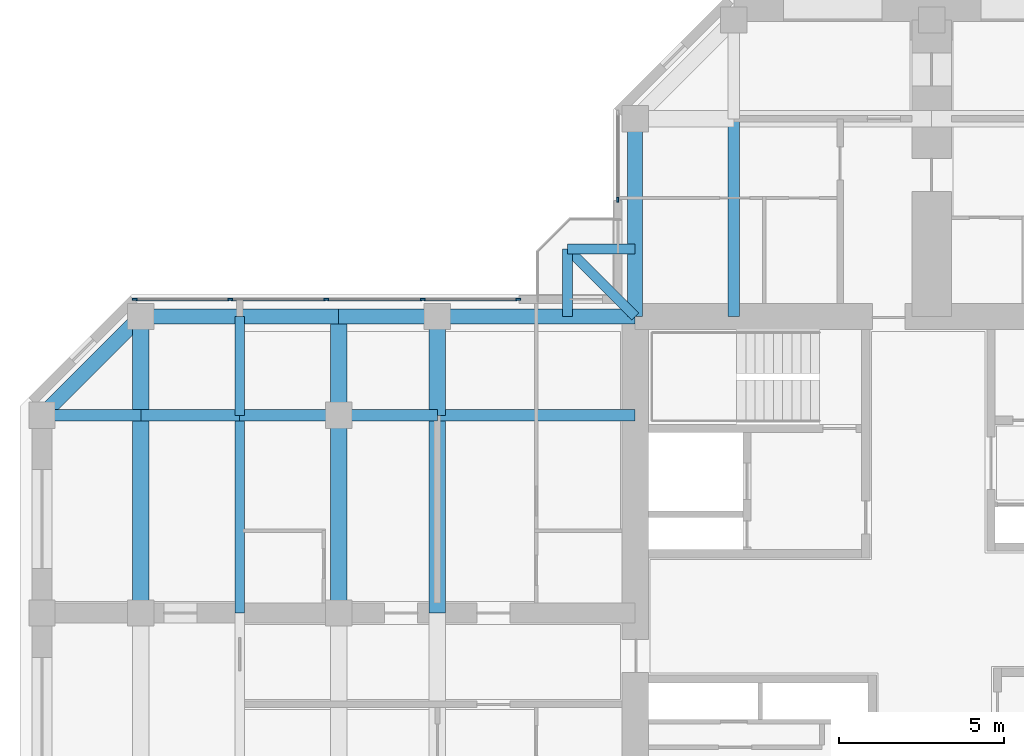
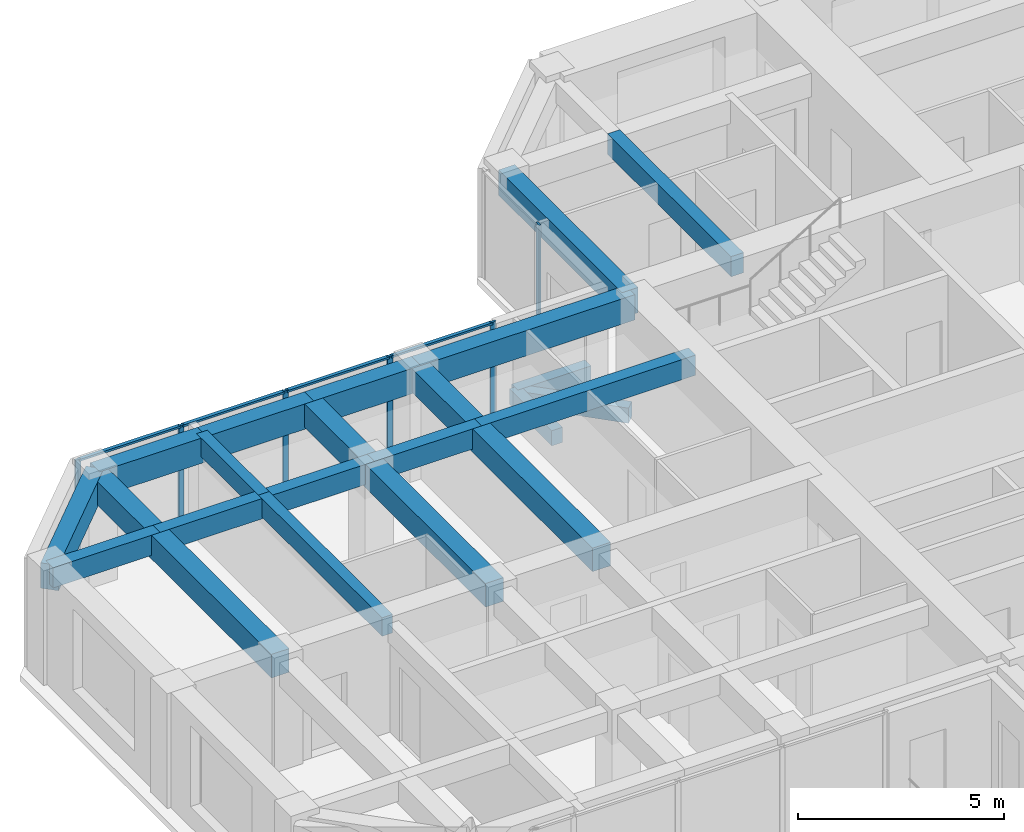
# One storey, part 4 of 13: 23 beams, 10 members, 2 elements without a shape of their own.
"""IFC4 building model written with IfcOpenShell, lengths in metres."""

from ifc_helpers import new_model, si_unit, direction, frame, origin, origin_2d, place, context, subcontext, project, spatial, rectangle, extrude, material, material_profile, profile_set, type_object, element, aggregate, save


model = new_model("IFC4")

# Units and contexts
model_context = context("Model", 3, precision=1e-05, world=origin(), true_north=direction((0.0, 1.0)))
body_context = subcontext(model_context, "Body", "Model", "MODEL_VIEW")
ifc_project = project(units=[si_unit("LENGTHUNIT", "METRE"), si_unit("AREAUNIT", "SQUARE_METRE"), si_unit("VOLUMEUNIT", "CUBIC_METRE"), si_unit("PLANEANGLEUNIT", "RADIAN"), si_unit("MASSUNIT", "GRAM", prefix="KILO")], contexts=[model_context])

# Site, building, storey
site_placement = place(None, origin())
site = spatial("IfcSite", under=ifc_project, at=site_placement, CompositionType="ELEMENT")
building_placement = place(site_placement, origin())
building = spatial("IfcBuilding", under=site, at=building_placement, Name="Torre Cruceta", CompositionType="ELEMENT")
storey_placement = place(building_placement, frame((0.0, 0.0, 232.300048828125)))
storey = spatial("IfcBuildingStorey", under=building, at=storey_placement, Name="L59", CompositionType="ELEMENT", Elevation=232.300048828125)

# Beams
ifc_material_1 = material(Name="Concrete G60 (fck 60 MPa)", Category="concrete")
ifc_material_profile_1 = material_profile(ifc_material_1, rectangle(XDim=0.300048828125, YDim=0.449951171875, at=origin_2d()), Name="RC 300X450")
ifc_profile_set_1 = profile_set([ifc_material_profile_1], Name="Concrete G60 (fck 60 MPa)")
beam_type_1 = type_object("IfcBeamType", Name="BALCONY CANTILEVER BEAM RC 300X450", PredefinedType="BEAM", material=ifc_profile_set_1)
beam_1_placement = place(storey_placement, frame((-9.0, 9.0, -0.405029296875), z_axis=(-0.707106781187, 0.707106781187, 0.0), x_axis=(-0.707106781187, -0.707106781187, 0.0)))
element("IfcBeam", 1, at=beam_1_placement, inside=storey, type_object=beam_type_1, Name="BB1 balcony beam L59 N", PredefinedType="BEAM", context=body_context, shape_type="SweptSolid", body=[
    extrude(rectangle(XDim=0.300048828125, YDim=0.449951171875, at=origin_2d()), origin(), (0.0, 0.0, 1.0), 2.89990234375),
])
for number, where, z_axis, x_axis, name in (
    (2, (-11.050537109375, 9.0, -0.405029296875), (0.0, 1.0, 0.0), (-1.0, 0.0, 0.0), "BB1 balcony edge beam L59 N-X"),
    (3, (-9.0, 11.050537109375, -0.405029296875), (-1.0, 0.0, 0.0), (0.0, -1.0, 0.0), "BB1 balcony edge beam L59 N-Y"),
):
    element("IfcBeam", number, at=place(storey_placement, frame(where, z_axis=z_axis, x_axis=x_axis)), inside=storey, type_object=beam_type_1, Name=name, PredefinedType="BEAM", context=body_context, shape_type="SweptSolid", body=[
        extrude(rectangle(XDim=0.300048828125, YDim=0.449951171875, at=origin_2d()), origin(), (0.0, 0.0, 1.0), 2.050537109375),
    ])
ifc_material_2 = material(Name="Concrete G60 (fck 60 MPa)", Category="concrete")
ifc_material_profile_2 = material_profile(ifc_material_2, rectangle(XDim=0.35009765625, YDim=0.60009765625, at=origin_2d()), Name="RC 350X600")
ifc_profile_set_2 = profile_set([ifc_material_profile_2], Name="Concrete G60 (fck 60 MPa)")
beam_type_2 = type_object("IfcBeamType", Name="COLUMN LINE BEAM RC 350X600", PredefinedType="BEAM", material=ifc_profile_set_2)
for number, where, z_axis, x_axis, name in (
    (4, (-6.0, 9.0, 2.919921875), (0.0, 1.0, 0.0), (-1.0, 0.0, 0.0), "LB9 L59 N col+ 1"),
    (5, (-9.0, 6.0, 2.919921875), (-1.0, 0.0, 0.0), (0.0, -1.0, 0.0), "LB9 L59 W col- 1"),
):
    element("IfcBeam", number, at=place(storey_placement, frame(where, z_axis=z_axis, x_axis=x_axis)), inside=storey, type_object=beam_type_2, Name=name, PredefinedType="BEAM", context=body_context, shape_type="SweptSolid", body=[
        extrude(rectangle(XDim=0.35009765625, YDim=0.60009765625, at=origin_2d()), origin(), (0.0, 0.0, 1.0), 6.0),
    ])
for number, where, z_axis, x_axis, name in (
    (6, (-15.0, 6.0, 2.919921875), (-1.0, 0.0, 0.0), (0.0, -1.0, 0.0), "LB9 L59 W col- 2"),
    (7, (-18.0, 6.0, 2.919921875), (-1.0, 0.0, 0.0), (0.0, -1.0, 0.0), "LB9 L59 W col- 3"),
    (8, (-21.0, 6.0, 2.919921875), (-1.0, 0.0, 0.0), (0.0, -1.0, 0.0), "LB9 L59 W col- 4"),
    (9, (-24.0, 6.0, 2.919921875), (-1.0, 0.0, 0.0), (0.0, -1.0, 0.0), "LB9 L59 W col- 5"),
):
    element("IfcBeam", number, at=place(storey_placement, frame(where, z_axis=z_axis, x_axis=x_axis)), inside=storey, type_object=beam_type_2, Name=name, PredefinedType="BEAM", context=body_context, shape_type="SweptSolid", body=[
        extrude(rectangle(XDim=0.35009765625, YDim=0.60009765625, at=origin_2d()), origin(), (0.0, 0.0, 1.0), 3.0),
    ])
ifc_material_3 = material(Name="Concrete G60 (fck 60 MPa)", Category="concrete")
ifc_material_profile_3 = material_profile(ifc_material_3, rectangle(XDim=0.5, YDim=0.699951171875, at=origin_2d()), Name="RC 500X700")
ifc_profile_set_3 = profile_set([ifc_material_profile_3], Name="Concrete G60 (fck 60 MPa)")
beam_type_3 = type_object("IfcBeamType", Name="CROSS BEAM RC 500X700", PredefinedType="BEAM", material=ifc_profile_set_3)
beam_2_placement = place(storey_placement, frame((-15.0, 9.0, 2.869873046875), z_axis=(0.0, -1.0, 0.0), x_axis=(1.0, 0.0, 0.0)))
element("IfcBeam", 10, at=beam_2_placement, inside=storey, type_object=beam_type_3, Name="GB7 L59 W cross15 1", PredefinedType="BEAM", context=body_context, shape_type="SweptSolid", body=[
    extrude(rectangle(XDim=0.5, YDim=0.699951171875, at=origin_2d()), origin(), (0.0, 0.0, 1.0), 3.0),
])
beam_3_placement = place(storey_placement, frame((-15.0, 6.0, 2.869873046875), z_axis=(0.0, -1.0, 0.0), x_axis=(1.0, 0.0, 0.0)))
element("IfcBeam", 11, at=beam_3_placement, inside=storey, type_object=beam_type_3, Name="GB7 L59 W cross15 2", PredefinedType="BEAM", context=body_context, shape_type="SweptSolid", body=[
    extrude(rectangle(XDim=0.5, YDim=0.699951171875, at=origin_2d()), origin(), (0.0, 0.0, 1.0), 6.0),
])
beam_4_placement = place(storey_placement, frame((-18.0, 9.0, 2.869873046875), z_axis=(0.0, -1.0, 0.0), x_axis=(1.0, 0.0, 0.0)))
element("IfcBeam", 12, at=beam_4_placement, inside=storey, type_object=beam_type_3, Name="GB7 L59 W cross18 1", PredefinedType="BEAM", context=body_context, shape_type="SweptSolid", body=[
    extrude(rectangle(XDim=0.5, YDim=0.699951171875, at=origin_2d()), origin(), (0.0, 0.0, 1.0), 3.0),
])
beam_5_placement = place(storey_placement, frame((-18.0, 6.0, 2.869873046875), z_axis=(0.0, -1.0, 0.0), x_axis=(1.0, 0.0, 0.0)))
element("IfcBeam", 13, at=beam_5_placement, inside=storey, type_object=beam_type_3, Name="GB7 L59 W cross18 2", PredefinedType="BEAM", context=body_context, shape_type="SweptSolid", body=[
    extrude(rectangle(XDim=0.5, YDim=0.699951171875, at=origin_2d()), origin(), (0.0, 0.0, 1.0), 6.0),
])
beam_6_placement = place(storey_placement, frame((-24.0, 9.0, 2.869873046875), z_axis=(0.0, -1.0, 0.0), x_axis=(1.0, 0.0, 0.0)))
element("IfcBeam", 14, at=beam_6_placement, inside=storey, type_object=beam_type_3, Name="GB7 L59 W cross24 1", PredefinedType="BEAM", context=body_context, shape_type="SweptSolid", body=[
    extrude(rectangle(XDim=0.5, YDim=0.699951171875, at=origin_2d()), origin(), (0.0, 0.0, 1.0), 3.0),
])
beam_7_placement = place(storey_placement, frame((-24.0, 6.0, 2.869873046875), z_axis=(0.0, -1.0, 0.0), x_axis=(1.0, 0.0, 0.0)))
element("IfcBeam", 15, at=beam_7_placement, inside=storey, type_object=beam_type_3, Name="GB7 L59 W cross24 2", PredefinedType="BEAM", context=body_context, shape_type="SweptSolid", body=[
    extrude(rectangle(XDim=0.5, YDim=0.699951171875, at=origin_2d()), origin(), (0.0, 0.0, 1.0), 6.0),
])

# Curtain wall, member
ifc_material_4 = material(Name="Aluminium unitised curtain wall", Category="aluminium")
curtain_wall_type = type_object("IfcCurtainWallType", Name="CURTAIN WALL CW-D CO-LIVING UPPER", PredefinedType="USERDEFINED", material=ifc_material_4)
curtain_wall_1_placement = place(storey_placement, origin())
curtain_wall_1 = element("IfcCurtainWall", 16, at=curtain_wall_1_placement, inside=storey, type_object=curtain_wall_type, Name="CW-D L59 N side 09", ObjectType="UNITISED", PredefinedType="USERDEFINED")
ifc_material_5 = material(Name="Aluminium mullion", Category="aluminium")
ifc_material_profile_4 = material_profile(ifc_material_5, rectangle(XDim=0.06005859375, YDim=0.14990234375, at=origin_2d()), Name="AL 60X150")
ifc_profile_set_4 = profile_set([ifc_material_profile_4], Name="Aluminium mullion")
member_type_1 = type_object("IfcMemberType", Name="CW-D MULLION 60X150", PredefinedType="MULLION", material=ifc_profile_set_4)
member_1_placement = place(storey_placement, frame((-9.52001953125, 12.550048828125, 0.0), z_axis=(0.0, 0.0, 1.0), x_axis=(1.0, 0.0, 0.0)))
member_1 = element("IfcMember", 17, at=member_1_placement, type_object=member_type_1, Name="CW-D mullion 2", PredefinedType="MULLION", context=body_context, shape_type="SweptSolid", body=[
    extrude(rectangle(XDim=0.06005859375, YDim=0.14990234375, at=origin_2d()), origin(), (0.0, 0.0, 1.0), 3.219970703125),
])
aggregate(curtain_wall_1, [member_1])

# Curtain wall, members
curtain_wall_2_placement = place(storey_placement, origin())
curtain_wall_2 = element("IfcCurtainWall", 18, at=curtain_wall_2_placement, inside=storey, type_object=curtain_wall_type, Name="CW-D L59 W side 10", ObjectType="UNITISED", PredefinedType="USERDEFINED")
member_2_placement = place(storey_placement, frame((-12.550048828125, 9.52001953125, 0.0), z_axis=(0.0, 0.0, 1.0), x_axis=(0.0, -1.0, 0.0)))
member_2 = element("IfcMember", 19, at=member_2_placement, type_object=member_type_1, Name="CW-D mullion 1", PredefinedType="MULLION", context=body_context, shape_type="SweptSolid", body=[
    extrude(rectangle(XDim=0.06005859375, YDim=0.14990234375, at=origin_2d()), origin(), (0.0, 0.0, 1.0), 3.219970703125),
])
member_3_placement = place(storey_placement, frame((-15.44384765625, 9.52001953125, 0.0), z_axis=(0.0, 0.0, 1.0), x_axis=(0.0, -1.0, 0.0)))
member_3 = element("IfcMember", 20, at=member_3_placement, type_object=member_type_1, Name="CW-D mullion 2", PredefinedType="MULLION", context=body_context, shape_type="SweptSolid", body=[
    extrude(rectangle(XDim=0.06005859375, YDim=0.14990234375, at=origin_2d()), origin(), (0.0, 0.0, 1.0), 3.219970703125),
])
member_4_placement = place(storey_placement, frame((-18.36767578125, 9.52001953125, 0.0), z_axis=(0.0, 0.0, 1.0), x_axis=(0.0, -1.0, 0.0)))
member_4 = element("IfcMember", 21, at=member_4_placement, type_object=member_type_1, Name="CW-D mullion 3", PredefinedType="MULLION", context=body_context, shape_type="SweptSolid", body=[
    extrude(rectangle(XDim=0.06005859375, YDim=0.14990234375, at=origin_2d()), origin(), (0.0, 0.0, 1.0), 3.219970703125),
])
member_5_placement = place(storey_placement, frame((-21.29150390625, 9.52001953125, 0.0), z_axis=(0.0, 0.0, 1.0), x_axis=(0.0, -1.0, 0.0)))
member_5 = element("IfcMember", 22, at=member_5_placement, type_object=member_type_1, Name="CW-D mullion 4", PredefinedType="MULLION", context=body_context, shape_type="SweptSolid", body=[
    extrude(rectangle(XDim=0.06005859375, YDim=0.14990234375, at=origin_2d()), origin(), (0.0, 0.0, 1.0), 3.219970703125),
])
member_6_placement = place(storey_placement, frame((-24.185302734375, 9.52001953125, 0.0), z_axis=(0.0, 0.0, 1.0), x_axis=(0.0, -1.0, 0.0)))
member_6 = element("IfcMember", 23, at=member_6_placement, type_object=member_type_1, Name="CW-D mullion 5", PredefinedType="MULLION", context=body_context, shape_type="SweptSolid", body=[
    extrude(rectangle(XDim=0.06005859375, YDim=0.14990234375, at=origin_2d()), origin(), (0.0, 0.0, 1.0), 3.219970703125),
])
ifc_material_6 = material(Name="Aluminium transom", Category="aluminium")
ifc_material_profile_5 = material_profile(ifc_material_6, rectangle(XDim=0.10009765625, YDim=0.06005859375, at=origin_2d()), Name="AL 100X60")
ifc_profile_set_5 = profile_set([ifc_material_profile_5], Name="Aluminium transom")
member_type_2 = type_object("IfcMemberType", Name="CW-D TRANSOM 60X100", PredefinedType="USERDEFINED", material=ifc_profile_set_5)
member_7_placement = place(storey_placement, frame((-12.580078125, 9.52001953125, 3.18994140625), z_axis=(-1.0, 0.0, 0.0), x_axis=(0.0, -1.0, 0.0)))
member_7 = element("IfcMember", 24, at=member_7_placement, type_object=member_type_2, Name="CW-D transom 1", ObjectType="TRANSOM", PredefinedType="USERDEFINED", context=body_context, shape_type="SweptSolid", body=[
    extrude(rectangle(XDim=0.10009765625, YDim=0.06005859375, at=origin_2d()), origin(), (0.0, 0.0, 1.0), 2.833740234375),
])
member_8_placement = place(storey_placement, frame((-15.473876953125, 9.52001953125, 3.18994140625), z_axis=(-1.0, 0.0, 0.0), x_axis=(0.0, -1.0, 0.0)))
member_8 = element("IfcMember", 25, at=member_8_placement, type_object=member_type_2, Name="CW-D transom 2", ObjectType="TRANSOM", PredefinedType="USERDEFINED", context=body_context, shape_type="SweptSolid", body=[
    extrude(rectangle(XDim=0.10009765625, YDim=0.06005859375, at=origin_2d()), origin(), (0.0, 0.0, 1.0), 2.86376953125),
])
member_9_placement = place(storey_placement, frame((-18.397705078125, 9.52001953125, 3.18994140625), z_axis=(-1.0, 0.0, 0.0), x_axis=(0.0, -1.0, 0.0)))
member_9 = element("IfcMember", 26, at=member_9_placement, type_object=member_type_2, Name="CW-D transom 3", ObjectType="TRANSOM", PredefinedType="USERDEFINED", context=body_context, shape_type="SweptSolid", body=[
    extrude(rectangle(XDim=0.10009765625, YDim=0.06005859375, at=origin_2d()), origin(), (0.0, 0.0, 1.0), 2.86376953125),
])
member_10_placement = place(storey_placement, frame((-21.321533203125, 9.52001953125, 3.18994140625), z_axis=(-1.0, 0.0, 0.0), x_axis=(0.0, -1.0, 0.0)))
member_10 = element("IfcMember", 27, at=member_10_placement, type_object=member_type_2, Name="CW-D transom 4", ObjectType="TRANSOM", PredefinedType="USERDEFINED", context=body_context, shape_type="SweptSolid", body=[
    extrude(rectangle(XDim=0.10009765625, YDim=0.06005859375, at=origin_2d()), origin(), (0.0, 0.0, 1.0), 2.833740234375),
])
aggregate(curtain_wall_2, [member_2, member_3, member_4, member_5, member_6, member_7, member_8, member_9, member_10])

# Beams
ifc_material_7 = material(Name="Concrete G60 (fck 60 MPa)", Category="concrete")
ifc_material_profile_6 = material_profile(ifc_material_7, rectangle(XDim=0.300048828125, YDim=0.550048828125, at=origin_2d()), Name="RC 300X550")
ifc_profile_set_6 = profile_set([ifc_material_profile_6], Name="Concrete G60 (fck 60 MPa)")
beam_type_4 = type_object("IfcBeamType", Name="SECONDARY BEAM RC 300X550", PredefinedType="JOIST", material=ifc_profile_set_6)
beam_8_placement = place(storey_placement, frame((-21.0, 9.0, 2.945068359375), z_axis=(0.0, -1.0, 0.0), x_axis=(1.0, 0.0, 0.0)))
element("IfcBeam", 28, at=beam_8_placement, inside=storey, type_object=beam_type_4, Name="JB7 L59 W sec21 1", PredefinedType="JOIST", context=body_context, shape_type="SweptSolid", body=[
    extrude(rectangle(XDim=0.300048828125, YDim=0.550048828125, at=origin_2d()), origin(), (0.0, 0.0, 1.0), 3.0),
])
beam_9_placement = place(storey_placement, frame((-21.0, 6.0, 2.945068359375), z_axis=(0.0, -1.0, 0.0), x_axis=(1.0, 0.0, 0.0)))
element("IfcBeam", 29, at=beam_9_placement, inside=storey, type_object=beam_type_4, Name="JB7 L59 W sec21 2", PredefinedType="JOIST", context=body_context, shape_type="SweptSolid", body=[
    extrude(rectangle(XDim=0.300048828125, YDim=0.550048828125, at=origin_2d()), origin(), (0.0, 0.0, 1.0), 6.0),
])
ifc_material_8 = material(Name="Concrete G60 (fck 60 MPa)", Category="concrete")
ifc_material_profile_7 = material_profile(ifc_material_8, rectangle(XDim=0.449951171875, YDim=0.75, at=origin_2d()), Name="RC 450X750")
ifc_profile_set_7 = profile_set([ifc_material_profile_7], Name="Concrete G60 (fck 60 MPa)")
beam_type_5 = type_object("IfcBeamType", Name="SPANDREL BEAM RC 450X750", PredefinedType="SPANDREL", material=ifc_profile_set_7)
for number, where, z_axis, x_axis, name in (
    (30, (-9.0, 9.0, 2.844970703125), (0.0, 1.0, 0.0), (-1.0, 0.0, 0.0), "SB7 L59 N side+ 1"),
    (31, (-9.0, 9.0, 2.844970703125), (-1.0, 0.0, 0.0), (0.0, -1.0, 0.0), "SB7 L59 W side- 1"),
):
    element("IfcBeam", number, at=place(storey_placement, frame(where, z_axis=z_axis, x_axis=x_axis)), inside=storey, type_object=beam_type_5, Name=name, PredefinedType="SPANDREL", context=body_context, shape_type="SweptSolid", body=[
        extrude(rectangle(XDim=0.449951171875, YDim=0.75, at=origin_2d()), origin(), (0.0, 0.0, 1.0), 6.0),
    ])
for number, where, z_axis, x_axis, name in (
    (32, (-15.0, 9.0, 2.844970703125), (-1.0, 0.0, 0.0), (0.0, -1.0, 0.0), "SB7 L59 W side- 2"),
    (33, (-18.0, 9.0, 2.844970703125), (-1.0, 0.0, 0.0), (0.0, -1.0, 0.0), "SB7 L59 W side- 3"),
    (34, (-21.0, 9.0, 2.844970703125), (-1.0, 0.0, 0.0), (0.0, -1.0, 0.0), "SB7 L59 W side- 4"),
):
    element("IfcBeam", number, at=place(storey_placement, frame(where, z_axis=z_axis, x_axis=x_axis)), inside=storey, type_object=beam_type_5, Name=name, PredefinedType="SPANDREL", context=body_context, shape_type="SweptSolid", body=[
        extrude(rectangle(XDim=0.449951171875, YDim=0.75, at=origin_2d()), origin(), (0.0, 0.0, 1.0), 3.0),
    ])
beam_10_placement = place(storey_placement, frame((-24.0, 9.0, 2.844970703125), z_axis=(-0.707106781187, -0.707106781187, 0.0), x_axis=(0.707106781187, -0.707106781187, 0.0)))
element("IfcBeam", 35, at=beam_10_placement, inside=storey, type_object=beam_type_5, Name="SB7 L59 W side- 5", PredefinedType="SPANDREL", context=body_context, shape_type="SweptSolid", body=[
    extrude(rectangle(XDim=0.449951171875, YDim=0.75, at=origin_2d()), origin(), (0.0, 0.0, 1.0), 4.24267578125),
])

save(model, "model.ifc")
